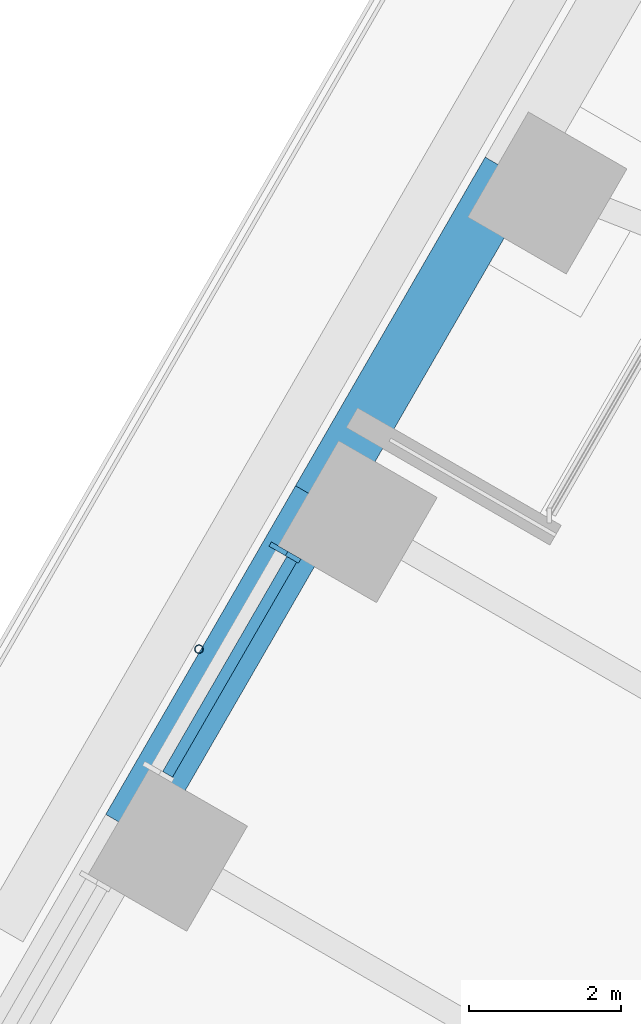
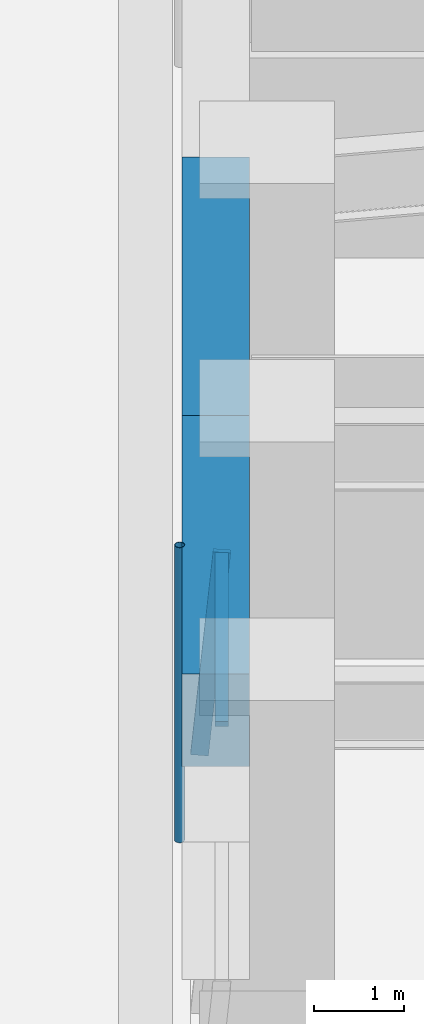
# One storey, part 7 of 24: 3 members, 2 beams, 1 element without a shape of its own.
"""IFC4 building model written with IfcOpenShell, lengths in metres."""

from ifc_helpers import new_model, si_unit, direction, frame, origin, origin_2d, place, context, subcontext, project, spatial, rectangle, hollow_circle, extrude, material, material_profile, profile_set, type_object, element, aggregate, save


model = new_model("IFC4")

# Units and contexts
model_context = context("Model", 3, precision=1e-05, world=origin(), true_north=direction((0.0, 1.0)))
body_context = subcontext(model_context, "Body", "Model", "MODEL_VIEW")
ifc_project = project(units=[si_unit("LENGTHUNIT", "METRE"), si_unit("AREAUNIT", "SQUARE_METRE"), si_unit("VOLUMEUNIT", "CUBIC_METRE"), si_unit("PLANEANGLEUNIT", "RADIAN"), si_unit("MASSUNIT", "GRAM", prefix="KILO")], contexts=[model_context])

# Site, building, storey
site_placement = place(None, origin())
site = spatial("IfcSite", under=ifc_project, at=site_placement, CompositionType="ELEMENT")
building_placement = place(site_placement, origin())
building = spatial("IfcBuilding", under=site, at=building_placement, Name="Tarfa Lantern Tower", CompositionType="ELEMENT")
storey_placement = place(building_placement, frame((0.0, 0.0, 148.89990234375)))
storey = spatial("IfcBuildingStorey", under=building, at=storey_placement, Name="L33", CompositionType="ELEMENT", Elevation=148.89990234375)

# Curtain wall, members
ifc_material_1 = material(Name="Aluminium framed curtain wall", Category="aluminium")
curtain_wall_type = type_object("IfcCurtainWallType", Name="CW2 CANTED GLAZING MID ZONE 2750", PredefinedType="USERDEFINED", material=ifc_material_1)
curtain_wall_placement = place(storey_placement, origin())
curtain_wall = element("IfcCurtainWall", 1, at=curtain_wall_placement, inside=storey, type_object=curtain_wall_type, Name="CW2 NWB L33", ObjectType="CURTAIN WALL", PredefinedType="USERDEFINED")
ifc_material_2 = material(Name="Aluminium mullion", Category="aluminium")
ifc_material_profile_1 = material_profile(ifc_material_2, rectangle(XDim=0.06494140625, YDim=0.199951171875, at=origin_2d()), Name="AL MULLION 65x200")
ifc_profile_set_1 = profile_set([ifc_material_profile_1], Name="Aluminium mullion")
member_type_1 = type_object("IfcMemberType", Name="CWM1 MULLION 65x200", PredefinedType="MULLION", material=ifc_profile_set_1)
member_1_placement = place(storey_placement, frame((-30.111328125, 10.645751953125, 0.0), z_axis=(0.078422950161, -0.045267813396, 0.995891894715), x_axis=(0.499919672301, 0.866071776036, 0.0)))
member_1 = element("IfcMember", 2, at=member_1_placement, type_object=member_type_1, Name="CW2 mullion 1", PredefinedType="MULLION", context=body_context, shape_type="SweptSolid", body=[
    extrude(rectangle(XDim=0.06494140625, YDim=0.199951171875, at=origin_2d()), origin(), (0.0, 0.0, 1.0), 2.76123046875),
])
ifc_material_3 = material(Name="Aluminium transom", Category="aluminium")
ifc_material_profile_2 = material_profile(ifc_material_3, rectangle(XDim=0.14990234375, YDim=0.06494140625, at=origin_2d()), Name="AL TRANSOM 150x65")
ifc_profile_set_2 = profile_set([ifc_material_profile_2], Name="Aluminium transom")
member_type_2 = type_object("IfcMemberType", Name="CWT1 TRANSOM 150x65", PredefinedType="USERDEFINED", material=ifc_profile_set_2)
member_2_placement = place(storey_placement, frame((-29.91357421875, 10.494140625, 2.717529296875), z_axis=(-0.500012937857, -0.86601793398, 0.0), x_axis=(0.86601793398, -0.500012937857, 0.0)))
member_2 = element("IfcMember", 3, at=member_2_placement, type_object=member_type_2, Name="CW2 transom 1.2", ObjectType="TRANSOM", PredefinedType="USERDEFINED", context=body_context, shape_type="SweptSolid", body=[
    extrude(rectangle(XDim=0.14990234375, YDim=0.06494140625, at=origin_2d()), origin(), (0.0, 0.0, 1.0), 3.27392578125),
])
aggregate(curtain_wall, [member_1, member_2])

# Beams
ifc_material_4 = material(Name="Concrete C80/95", Category="concrete")
ifc_material_profile_3 = material_profile(ifc_material_4, rectangle(XDim=0.75, YDim=1.25, at=origin_2d()), Name="RC 750x1250")
ifc_profile_set_3 = profile_set([ifc_material_profile_3], Name="Concrete C80/95")
beam_type = type_object("IfcBeamType", Name="EB2 RC 750x1250", PredefinedType="SPANDREL", material=ifc_profile_set_3)
for number, where, z_axis, x_axis, name in (
    (4, (-27.037353515625, 15.610107421875, 3.375), (-0.499964603504, -0.866045838996, 0.0), (0.866045838996, -0.499964603504, 0.0), "Edge beam NW3"),
    (5, (-29.5390625, 11.276611328125, 3.375), (-0.500022324899, -0.866012514114, 0.0), (0.866012514114, -0.500022324899, 0.0), "Edge beam NW4"),
):
    element("IfcBeam", number, at=place(storey_placement, frame(where, z_axis=z_axis, x_axis=x_axis)), inside=storey, type_object=beam_type, Name=name, PredefinedType="SPANDREL", context=body_context, shape_type="SweptSolid", body=[
        extrude(rectangle(XDim=0.75, YDim=1.25, at=origin_2d()), origin(), (0.0, 0.0, 1.0), 5.003662109375),
    ])

# Member
ifc_material_5 = material(Name="Steel S355", Category="steel")
ifc_material_profile_4 = material_profile(ifc_material_5, hollow_circle(Radius=0.05712890625, WallThickness=0.00634765625, at=origin_2d()), Name="CHS114.3x6.3")
ifc_profile_set_4 = profile_set([ifc_material_profile_4], Name="Steel S355")
member_type_3 = type_object("IfcMemberType", Name="TR1 GREEN WALL TRELLIS CHS114.3x6.3", PredefinedType="USERDEFINED", material=ifc_profile_set_4)
member_3_placement = place(storey_placement, frame((-31.136474609375, 9.31005859375, 0.0), z_axis=(0.0, 0.0, 1.0), x_axis=(1.0, 0.0, 0.0)))
element("IfcMember", 6, at=member_3_placement, inside=storey, type_object=member_type_3, Name="Trellis post NW 2", ObjectType="TRELLIS", PredefinedType="USERDEFINED", context=body_context, shape_type="SweptSolid", body=[
    extrude(hollow_circle(Radius=0.05712890625, WallThickness=0.00634765625, at=origin_2d()), origin(), (0.0, 0.0, 1.0), 4.0),
])

save(model, "model.ifc")
